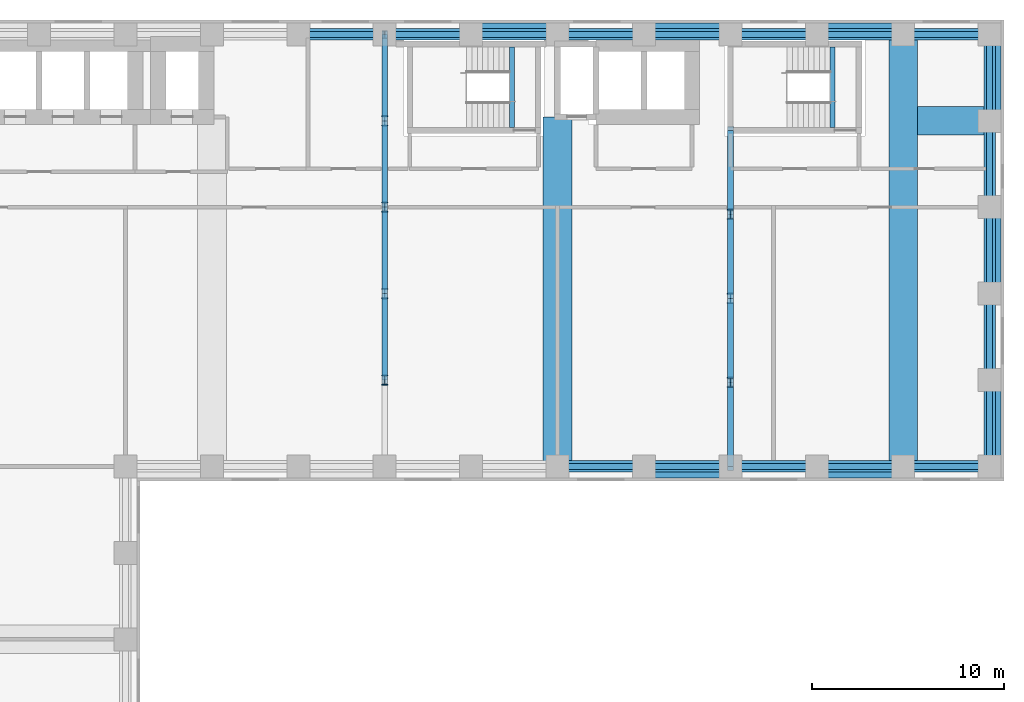
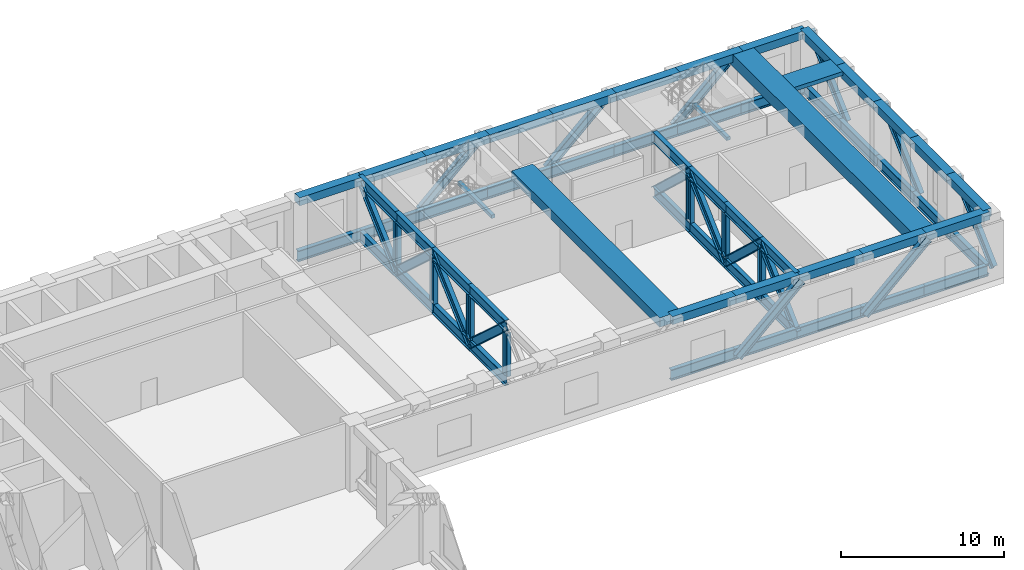
# One storey, part 3 of 13: 57 members, 23 beams.
"""IFC4 building model written with IfcOpenShell, lengths in metres."""

from ifc_helpers import new_model, si_unit, direction, frame, origin, origin_2d, place, context, subcontext, project, spatial, rectangle, i_section, extrude, material, material_profile, profile_set, type_object, element, save


model = new_model("IFC4")

# Units and contexts
model_context = context("Model", 3, precision=1e-05, world=origin(), true_north=direction((0.0, 1.0)))
body_context = subcontext(model_context, "Body", "Model", "MODEL_VIEW")
ifc_project = project(units=[si_unit("LENGTHUNIT", "METRE"), si_unit("AREAUNIT", "SQUARE_METRE"), si_unit("VOLUMEUNIT", "CUBIC_METRE"), si_unit("PLANEANGLEUNIT", "RADIAN"), si_unit("MASSUNIT", "GRAM", prefix="KILO")], contexts=[model_context])

# Site, building, storey
site_placement = place(None, origin())
site = spatial("IfcSite", under=ifc_project, at=site_placement, CompositionType="ELEMENT")
building_placement = place(site_placement, origin())
building = spatial("IfcBuilding", under=site, at=building_placement, Name="Firuza Court", CompositionType="ELEMENT")
storey_placement = place(building_placement, frame((0.0, 0.0, 108.199951171875)))
storey = spatial("IfcBuildingStorey", under=building, at=storey_placement, Name="L27", CompositionType="ELEMENT", Elevation=108.199951171875)

# Beams
ifc_material_1 = material(Name="Concrete C40/50", Category="concrete")
ifc_material_profile_1 = material_profile(ifc_material_1, rectangle(XDim=1.5, YDim=0.300048828125, at=origin_2d()), Name="RC 1500x300")
ifc_profile_set_1 = profile_set([ifc_material_profile_1], Name="Concrete C40/50")
beam_type_1 = type_object("IfcBeamType", Name="Band beam RC 1500x300 C40/50", PredefinedType="BEAM", material=ifc_profile_set_1)
beam_1_placement = place(storey_placement, frame((67.5, 54.0, 4.75), z_axis=(-1.0, 0.0, 0.0), x_axis=(0.0, -1.0, 0.0)))
element("IfcBeam", 1, at=beam_1_placement, inside=storey, type_object=beam_type_1, Name="Band beam FB6 level L28", PredefinedType="BEAM", context=body_context, shape_type="SweptSolid", body=[
    extrude(rectangle(XDim=1.5, YDim=0.300048828125, at=origin_2d()), origin(), (0.0, 0.0, 1.0), 3.75),
])
ifc_material_2 = material(Name="Concrete C40/50", Category="concrete")
ifc_material_profile_2 = material_profile(ifc_material_2, rectangle(XDim=1.5, YDim=0.699951171875, at=origin_2d()), Name="RC 1500x700")
ifc_profile_set_2 = profile_set([ifc_material_profile_2], Name="Concrete C40/50")
beam_type_2 = type_object("IfcBeamType", Name="Band beam RC 1500x700 C40/50", PredefinedType="BEAM", material=ifc_profile_set_2)
beam_2_placement = place(storey_placement, frame((45.0, 36.0, 4.550048828125), z_axis=(0.0, 1.0, 0.0), x_axis=(-1.0, 0.0, 0.0)))
element("IfcBeam", 2, at=beam_2_placement, inside=storey, type_object=beam_type_2, Name="Band beam FB1 level L28", PredefinedType="BEAM", context=body_context, shape_type="SweptSolid", body=[
    extrude(rectangle(XDim=1.5, YDim=0.699951171875, at=origin_2d()), origin(), (0.0, 0.0, 1.0), 18.199951171875),
])
ifc_material_3 = material(Name="Concrete C40/50", Category="concrete")
ifc_material_profile_3 = material_profile(ifc_material_3, rectangle(XDim=1.5, YDim=0.89990234375, at=origin_2d()), Name="RC 1500x900")
ifc_profile_set_3 = profile_set([ifc_material_profile_3], Name="Concrete C40/50")
beam_type_3 = type_object("IfcBeamType", Name="Band beam RC 1500x900 C40/50", PredefinedType="BEAM", material=ifc_profile_set_3)
beam_3_placement = place(storey_placement, frame((63.0, 36.0, 4.449951171875), z_axis=(0.0, 1.0, 0.0), x_axis=(-1.0, 0.0, 0.0)))
element("IfcBeam", 3, at=beam_3_placement, inside=storey, type_object=beam_type_3, Name="Band beam FB2 level L28", PredefinedType="BEAM", context=body_context, shape_type="SweptSolid", body=[
    extrude(rectangle(XDim=1.5, YDim=0.89990234375, at=origin_2d()), origin(), (0.0, 0.0, 1.0), 22.5),
])

# Members
ifc_material_4 = material(Name="Steel S460M", Category="steel")
ifc_material_profile_4 = material_profile(ifc_material_4, i_section(OverallWidth=0.302978515625, OverallDepth=0.81396484375, WebThickness=0.02099609375, FlangeThickness=0.0400390625, FilletRadius=0.030029296875, at=origin_2d()), Name="HE 800 M")
ifc_profile_set_4 = profile_set([ifc_material_profile_4], Name="Steel S460M")
member_type_1 = type_object("IfcMemberType", Name="Belt truss chord HE 800 M S460M", PredefinedType="CHORD", material=ifc_profile_set_4)
for number, where, z_axis, x_axis, name in (
    (4, (45.0, 36.0, 0.406982421875), (1.0, 0.0, 0.0), (0.0, 1.0, 0.0), "Belt truss chord BC1 L27"),
    (5, (49.5, 36.0, 0.406982421875), (1.0, 0.0, 0.0), (0.0, 1.0, 0.0), "Belt truss chord BC1 L27"),
    (6, (54.0, 36.0, 0.406982421875), (1.0, 0.0, 0.0), (0.0, 1.0, 0.0), "Belt truss chord BC1 L27"),
    (7, (58.5, 36.0, 0.406982421875), (1.0, 0.0, 0.0), (0.0, 1.0, 0.0), "Belt truss chord BC1 L27"),
    (8, (63.0, 36.0, 0.406982421875), (1.0, 0.0, 0.0), (0.0, 1.0, 0.0), "Belt truss chord BC1 L27"),
    (9, (67.5, 36.0, 0.406982421875), (0.0, 1.0, 0.0), (-1.0, 0.0, 0.0), "Belt truss chord BC1 L27"),
    (10, (67.5, 40.5, 0.406982421875), (0.0, 1.0, 0.0), (-1.0, 0.0, 0.0), "Belt truss chord BC1 L27"),
    (11, (67.5, 45.0, 0.406982421875), (0.0, 1.0, 0.0), (-1.0, 0.0, 0.0), "Belt truss chord BC1 L27"),
    (12, (67.5, 49.5, 0.406982421875), (0.0, 1.0, 0.0), (-1.0, 0.0, 0.0), "Belt truss chord BC1 L27"),
    (13, (67.5, 54.0, 0.406982421875), (0.0, 1.0, 0.0), (-1.0, 0.0, 0.0), "Belt truss chord BC1 L27"),
    (14, (67.5, 58.5, 0.406982421875), (-1.0, 0.0, 0.0), (0.0, -1.0, 0.0), "Belt truss chord BC1 L27"),
    (15, (63.0, 58.5, 0.406982421875), (-1.0, 0.0, 0.0), (0.0, -1.0, 0.0), "Belt truss chord BC1 L27"),
    (16, (58.5, 58.5, 0.406982421875), (-1.0, 0.0, 0.0), (0.0, -1.0, 0.0), "Belt truss chord BC1 L27"),
    (17, (54.0, 58.5, 0.406982421875), (-1.0, 0.0, 0.0), (0.0, -1.0, 0.0), "Belt truss chord BC1 L27"),
    (18, (49.5, 58.5, 0.406982421875), (-1.0, 0.0, 0.0), (0.0, -1.0, 0.0), "Belt truss chord BC1 L27"),
    (19, (45.0, 58.5, 0.406982421875), (-1.0, 0.0, 0.0), (0.0, -1.0, 0.0), "Belt truss chord BC1 L27"),
    (20, (40.5, 58.5, 0.406982421875), (-1.0, 0.0, 0.0), (0.0, -1.0, 0.0), "Belt truss chord BC1 L27"),
    (21, (36.0, 58.5, 0.406982421875), (-1.0, 0.0, 0.0), (0.0, -1.0, 0.0), "Belt truss chord BC1 L27"),
    (22, (36.0, 40.5, 0.406982421875), (0.0, 1.0, 0.0), (-1.0, 0.0, 0.0), "Belt truss chord BC1 L27"),
    (23, (36.0, 40.5, 4.4931640625), (0.0, 1.0, 0.0), (-1.0, 0.0, 0.0), "Belt truss chord BC1 L27"),
    (24, (36.0, 45.0, 0.406982421875), (0.0, 1.0, 0.0), (-1.0, 0.0, 0.0), "Belt truss chord BC1 L27"),
    (25, (36.0, 45.0, 4.4931640625), (0.0, 1.0, 0.0), (-1.0, 0.0, 0.0), "Belt truss chord BC1 L27"),
    (26, (36.0, 49.5, 0.406982421875), (0.0, 1.0, 0.0), (-1.0, 0.0, 0.0), "Belt truss chord BC1 L27"),
    (27, (36.0, 49.5, 4.4931640625), (0.0, 1.0, 0.0), (-1.0, 0.0, 0.0), "Belt truss chord BC1 L27"),
    (28, (36.0, 54.0, 0.406982421875), (0.0, 1.0, 0.0), (-1.0, 0.0, 0.0), "Belt truss chord BC1 L27"),
    (29, (36.0, 54.0, 4.4931640625), (0.0, 1.0, 0.0), (-1.0, 0.0, 0.0), "Belt truss chord BC1 L27"),
):
    element("IfcMember", number, at=place(storey_placement, frame(where, z_axis=z_axis, x_axis=x_axis)), inside=storey, type_object=member_type_1, Name=name, PredefinedType="CHORD", context=body_context, shape_type="SweptSolid", body=[
        extrude(i_section(OverallWidth=0.302978515625, OverallDepth=0.81396484375, WebThickness=0.02099609375, FlangeThickness=0.0400390625, FilletRadius=0.030029296875, at=origin_2d()), origin(), (0.0, 0.0, 1.0), 4.5),
    ])
for number, where, z_axis, x_axis, name in (
    (30, (54.0, 36.0, 0.406982421875), (0.0, 1.0, 0.0), (-1.0, 0.0, 0.0), "Belt truss chord BC1 L27"),
    (31, (54.0, 36.0, 4.4931640625), (0.0, 1.0, 0.0), (-1.0, 0.0, 0.0), "Belt truss chord BC1 L27"),
    (32, (54.0, 40.375, 0.406982421875), (0.0, 1.0, 0.0), (-1.0, 0.0, 0.0), "Belt truss chord BC1 L27"),
    (33, (54.0, 40.375, 4.4931640625), (0.0, 1.0, 0.0), (-1.0, 0.0, 0.0), "Belt truss chord BC1 L27"),
    (34, (54.0, 44.75, 0.406982421875), (0.0, 1.0, 0.0), (-1.0, 0.0, 0.0), "Belt truss chord BC1 L27"),
    (35, (54.0, 44.75, 4.4931640625), (0.0, 1.0, 0.0), (-1.0, 0.0, 0.0), "Belt truss chord BC1 L27"),
    (36, (54.0, 49.125, 0.406982421875), (0.0, 1.0, 0.0), (-1.0, 0.0, 0.0), "Belt truss chord BC1 L27"),
    (37, (54.0, 49.125, 4.4931640625), (0.0, 1.0, 0.0), (-1.0, 0.0, 0.0), "Belt truss chord BC1 L27"),
):
    element("IfcMember", number, at=place(storey_placement, frame(where, z_axis=z_axis, x_axis=x_axis)), inside=storey, type_object=member_type_1, Name=name, PredefinedType="CHORD", context=body_context, shape_type="SweptSolid", body=[
        extrude(i_section(OverallWidth=0.302978515625, OverallDepth=0.81396484375, WebThickness=0.02099609375, FlangeThickness=0.0400390625, FilletRadius=0.030029296875, at=origin_2d()), origin(), (0.0, 0.0, 1.0), 4.375),
    ])
ifc_material_5 = material(Name="Steel S460M", Category="steel")
ifc_material_profile_5 = material_profile(ifc_material_5, i_section(OverallWidth=0.304931640625, OverallDepth=0.6201171875, WebThickness=0.02099609375, FlangeThickness=0.0400390625, FilletRadius=0.027099609375, at=origin_2d()), Name="HE 600 M")
ifc_profile_set_5 = profile_set([ifc_material_profile_5], Name="Steel S460M")
member_type_2 = type_object("IfcMemberType", Name="Belt truss diagonal HE 600 M S460M", PredefinedType="BRACE", material=ifc_profile_set_5)
for number, where, z_axis, x_axis, name in (
    (38, (49.5, 35.550048828125, 0.406982421875), (0.731613359281, 0.0, 0.681719804994), (0.0, 1.0, 0.0), "Belt truss diagonal BD1 L27"),
    (39, (58.5, 35.550048828125, 0.406982421875), (0.731613359281, 0.0, 0.681719804994), (0.0, 1.0, 0.0), "Belt truss diagonal BD1 L27"),
    (40, (67.949951171875, 36.0, 0.406982421875), (0.0, 0.731613359281, 0.681719804994), (-1.0, 0.0, 0.0), "Belt truss diagonal BD1 L27"),
    (41, (67.949951171875, 45.0, 0.406982421875), (0.0, 0.731613359281, 0.681719804994), (-1.0, 0.0, 0.0), "Belt truss diagonal BD1 L27"),
    (42, (67.949951171875, 54.0, 0.406982421875), (0.0, 0.731613359281, 0.681719804994), (-1.0, 0.0, 0.0), "Belt truss diagonal BD1 L27"),
    (43, (58.5, 58.949951171875, 0.406982421875), (0.731613359281, 0.0, 0.681719804994), (0.0, 1.0, 0.0), "Belt truss diagonal BD1 L27"),
    (44, (49.5, 58.949951171875, 0.406982421875), (0.731613359281, 0.0, 0.681719804994), (0.0, 1.0, 0.0), "Belt truss diagonal BD1 L27"),
    (45, (40.5, 58.949951171875, 0.406982421875), (0.731613359281, 0.0, 0.681719804994), (0.0, 1.0, 0.0), "Belt truss diagonal BD1 L27"),
):
    element("IfcMember", number, at=place(storey_placement, frame(where, z_axis=z_axis, x_axis=x_axis)), inside=storey, type_object=member_type_2, Name=name, PredefinedType="BRACE", context=body_context, shape_type="SweptSolid", body=[
        extrude(i_section(OverallWidth=0.304931640625, OverallDepth=0.6201171875, WebThickness=0.02099609375, FlangeThickness=0.0400390625, FilletRadius=0.027099609375, at=origin_2d()), origin(), (0.0, 0.0, 1.0), 6.15087890625),
    ])
for number, where, z_axis, x_axis, name in (
    (46, (36.0, 45.0, 0.406982421875), (0.0, -0.740327064526, 0.672246857583), (1.0, 0.0, 0.0), "Belt truss diagonal BD1 L27"),
    (47, (36.0, 45.0, 0.406982421875), (0.0, 0.740327064526, 0.672246857583), (-1.0, 0.0, 0.0), "Belt truss diagonal BD1 L27"),
    (48, (36.0, 54.0, 0.406982421875), (0.0, -0.740327064526, 0.672246857583), (1.0, 0.0, 0.0), "Belt truss diagonal BD1 L27"),
    (49, (36.0, 54.0, 0.406982421875), (0.0, 0.740327064526, 0.672246857583), (-1.0, 0.0, 0.0), "Belt truss diagonal BD1 L27"),
):
    element("IfcMember", number, at=place(storey_placement, frame(where, z_axis=z_axis, x_axis=x_axis)), inside=storey, type_object=member_type_2, Name=name, PredefinedType="BRACE", context=body_context, shape_type="SweptSolid", body=[
        extrude(i_section(OverallWidth=0.304931640625, OverallDepth=0.6201171875, WebThickness=0.02099609375, FlangeThickness=0.0400390625, FilletRadius=0.027099609375, at=origin_2d()), origin(), (0.0, 0.0, 1.0), 6.078369140625),
    ])
for number, where, z_axis, x_axis, name in (
    (50, (54.0, 36.0, 0.406982421875), (0.0, 0.730817892644, 0.6825724927), (-1.0, 0.0, 0.0), "Belt truss diagonal BD1 L27"),
    (51, (54.0, 44.75, 0.406982421875), (0.0, -0.730817892644, 0.6825724927), (1.0, 0.0, 0.0), "Belt truss diagonal BD1 L27"),
    (52, (54.0, 44.75, 0.406982421875), (0.0, 0.730817892644, 0.6825724927), (-1.0, 0.0, 0.0), "Belt truss diagonal BD1 L27"),
    (53, (54.0, 53.5, 0.406982421875), (0.0, -0.730817892644, 0.6825724927), (1.0, 0.0, 0.0), "Belt truss diagonal BD1 L27"),
):
    element("IfcMember", number, at=place(storey_placement, frame(where, z_axis=z_axis, x_axis=x_axis)), inside=storey, type_object=member_type_2, Name=name, PredefinedType="BRACE", context=body_context, shape_type="SweptSolid", body=[
        extrude(i_section(OverallWidth=0.304931640625, OverallDepth=0.6201171875, WebThickness=0.02099609375, FlangeThickness=0.0400390625, FilletRadius=0.027099609375, at=origin_2d()), origin(), (0.0, 0.0, 1.0), 5.986328125),
    ])
ifc_material_6 = material(Name="Steel S460M", Category="steel")
ifc_material_profile_6 = material_profile(ifc_material_6, i_section(OverallWidth=0.305908203125, OverallDepth=0.52392578125, WebThickness=0.02099609375, FlangeThickness=0.0400390625, FilletRadius=0.027099609375, at=origin_2d()), Name="HE 500 M")
ifc_profile_set_6 = profile_set([ifc_material_profile_6], Name="Steel S460M")
member_type_3 = type_object("IfcMemberType", Name="Belt truss post HE 500 M S460M", PredefinedType="POST", material=ifc_profile_set_6)
for number, where, z_axis, x_axis, name in (
    (54, (36.0, 40.5, 0.81396484375), (0.0, 0.0, 1.0), (1.0, 0.0, 0.0), "Belt truss post BP1 L27"),
    (55, (36.0, 45.0, 0.81396484375), (0.0, 0.0, 1.0), (1.0, 0.0, 0.0), "Belt truss post BP1 L27"),
    (56, (36.0, 49.5, 0.81396484375), (0.0, 0.0, 1.0), (1.0, 0.0, 0.0), "Belt truss post BP1 L27"),
    (57, (36.0, 54.0, 0.81396484375), (0.0, 0.0, 1.0), (1.0, 0.0, 0.0), "Belt truss post BP1 L27"),
    (58, (54.0, 40.375, 0.81396484375), (0.0, 0.0, 1.0), (1.0, 0.0, 0.0), "Belt truss post BP1 L27"),
    (59, (54.0, 44.75, 0.81396484375), (0.0, 0.0, 1.0), (1.0, 0.0, 0.0), "Belt truss post BP1 L27"),
    (60, (54.0, 49.125, 0.81396484375), (0.0, 0.0, 1.0), (1.0, 0.0, 0.0), "Belt truss post BP1 L27"),
):
    element("IfcMember", number, at=place(storey_placement, frame(where, z_axis=z_axis, x_axis=x_axis)), inside=storey, type_object=member_type_3, Name=name, PredefinedType="POST", context=body_context, shape_type="SweptSolid", body=[
        extrude(i_section(OverallWidth=0.305908203125, OverallDepth=0.52392578125, WebThickness=0.02099609375, FlangeThickness=0.0400390625, FilletRadius=0.027099609375, at=origin_2d()), origin(), (0.0, 0.0, 1.0), 3.27197265625),
    ])

# Beams
ifc_material_7 = material(Name="Concrete C40/50", Category="concrete")
ifc_material_profile_7 = material_profile(ifc_material_7, rectangle(XDim=0.25, YDim=0.25, at=origin_2d()), Name="RC 250x250")
ifc_profile_set_7 = profile_set([ifc_material_profile_7], Name="Concrete C40/50")
beam_type_4 = type_object("IfcBeamType", Name="Landing beam RC 250x250 C40/50", PredefinedType="BEAM", material=ifc_profile_set_7)
for number, where, z_axis, x_axis, name in (
    (61, (42.625, 53.64990234375, 2.375), (0.0, 1.0, 0.0), (-1.0, 0.0, 0.0), "Landing beam S1 L27"),
    (62, (59.324951171875, 53.64990234375, 2.375), (0.0, 1.0, 0.0), (-1.0, 0.0, 0.0), "Landing beam S4 L27"),
):
    element("IfcBeam", number, at=place(storey_placement, frame(where, z_axis=z_axis, x_axis=x_axis)), inside=storey, type_object=beam_type_4, Name=name, PredefinedType="BEAM", context=body_context, shape_type="SweptSolid", body=[
        extrude(rectangle(XDim=0.25, YDim=0.25, at=origin_2d()), origin(), (0.0, 0.0, 1.0), 4.2001953125),
    ])
ifc_material_8 = material(Name="Concrete C40/50", Category="concrete")
ifc_material_profile_8 = material_profile(ifc_material_8, rectangle(XDim=0.60009765625, YDim=0.60009765625, at=origin_2d()), Name="RC 600x600")
ifc_profile_set_8 = profile_set([ifc_material_profile_8], Name="Concrete C40/50")
beam_type_5 = type_object("IfcBeamType", Name="Spandrel beam RC 600x600 C40/50", PredefinedType="BEAM", material=ifc_profile_set_8)
for number, where, z_axis, x_axis, name in (
    (63, (36.0, 58.5, 4.60009765625), (-1.0, 0.0, 0.0), (0.0, -1.0, 0.0), "Spandrel beam SP11 level L28"),
    (64, (40.5, 58.5, 4.60009765625), (-1.0, 0.0, 0.0), (0.0, -1.0, 0.0), "Spandrel beam SP11 level L28"),
    (65, (45.0, 36.0, 4.60009765625), (1.0, 0.0, 0.0), (0.0, 1.0, 0.0), "Spandrel beam SP11 level L28"),
    (66, (45.0, 58.5, 4.60009765625), (-1.0, 0.0, 0.0), (0.0, -1.0, 0.0), "Spandrel beam SP11 level L28"),
    (67, (49.5, 36.0, 4.60009765625), (1.0, 0.0, 0.0), (0.0, 1.0, 0.0), "Spandrel beam SP11 level L28"),
    (68, (49.5, 58.5, 4.60009765625), (-1.0, 0.0, 0.0), (0.0, -1.0, 0.0), "Spandrel beam SP11 level L28"),
    (69, (54.0, 36.0, 4.60009765625), (1.0, 0.0, 0.0), (0.0, 1.0, 0.0), "Spandrel beam SP11 level L28"),
    (70, (54.0, 58.5, 4.60009765625), (-1.0, 0.0, 0.0), (0.0, -1.0, 0.0), "Spandrel beam SP11 level L28"),
    (71, (58.5, 36.0, 4.60009765625), (1.0, 0.0, 0.0), (0.0, 1.0, 0.0), "Spandrel beam SP11 level L28"),
    (72, (58.5, 58.5, 4.60009765625), (-1.0, 0.0, 0.0), (0.0, -1.0, 0.0), "Spandrel beam SP11 level L28"),
    (73, (63.0, 36.0, 4.60009765625), (1.0, 0.0, 0.0), (0.0, 1.0, 0.0), "Spandrel beam SP11 level L28"),
    (74, (63.0, 58.5, 4.60009765625), (-1.0, 0.0, 0.0), (0.0, -1.0, 0.0), "Spandrel beam SP11 level L28"),
    (75, (67.5, 36.0, 4.60009765625), (0.0, 1.0, 0.0), (-1.0, 0.0, 0.0), "Spandrel beam SP11 level L28"),
    (76, (67.5, 40.5, 4.60009765625), (0.0, 1.0, 0.0), (-1.0, 0.0, 0.0), "Spandrel beam SP11 level L28"),
    (77, (67.5, 45.0, 4.60009765625), (0.0, 1.0, 0.0), (-1.0, 0.0, 0.0), "Spandrel beam SP11 level L28"),
    (78, (67.5, 49.5, 4.60009765625), (0.0, 1.0, 0.0), (-1.0, 0.0, 0.0), "Spandrel beam SP11 level L28"),
    (79, (67.5, 54.0, 4.60009765625), (0.0, 1.0, 0.0), (-1.0, 0.0, 0.0), "Spandrel beam SP11 level L28"),
    (80, (67.5, 58.5, 4.60009765625), (-1.0, 0.0, 0.0), (0.0, -1.0, 0.0), "Spandrel beam SP11 level L28"),
):
    element("IfcBeam", number, at=place(storey_placement, frame(where, z_axis=z_axis, x_axis=x_axis)), inside=storey, type_object=beam_type_5, Name=name, PredefinedType="BEAM", context=body_context, shape_type="SweptSolid", body=[
        extrude(rectangle(XDim=0.60009765625, YDim=0.60009765625, at=origin_2d()), origin(), (0.0, 0.0, 1.0), 4.5),
    ])

save(model, "model.ifc")
